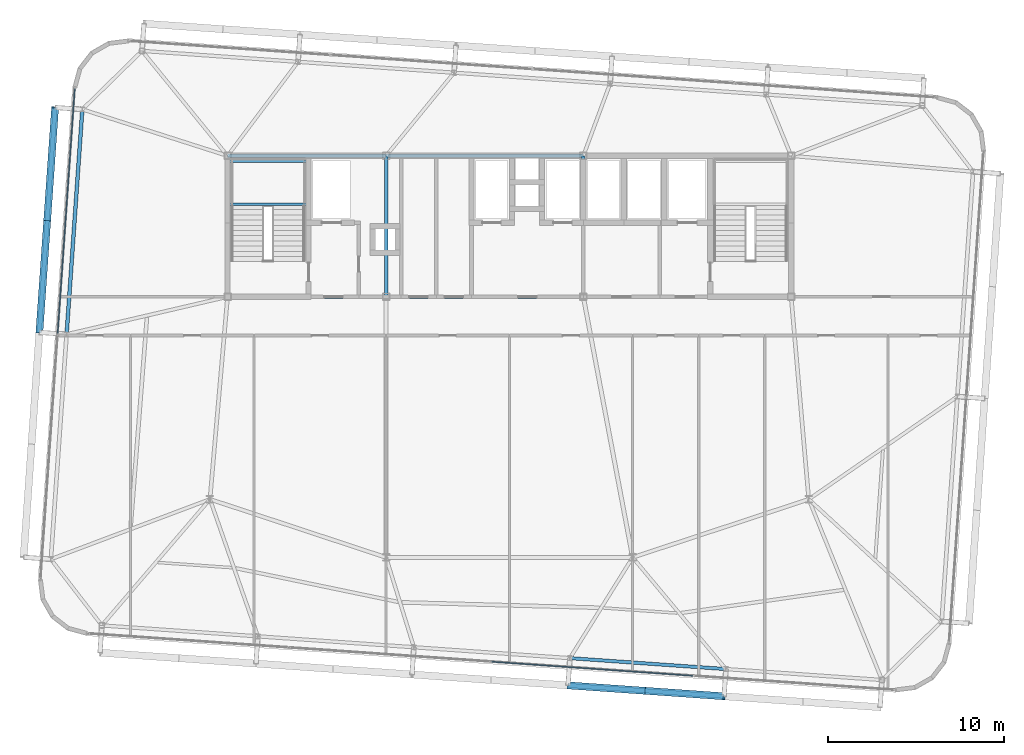
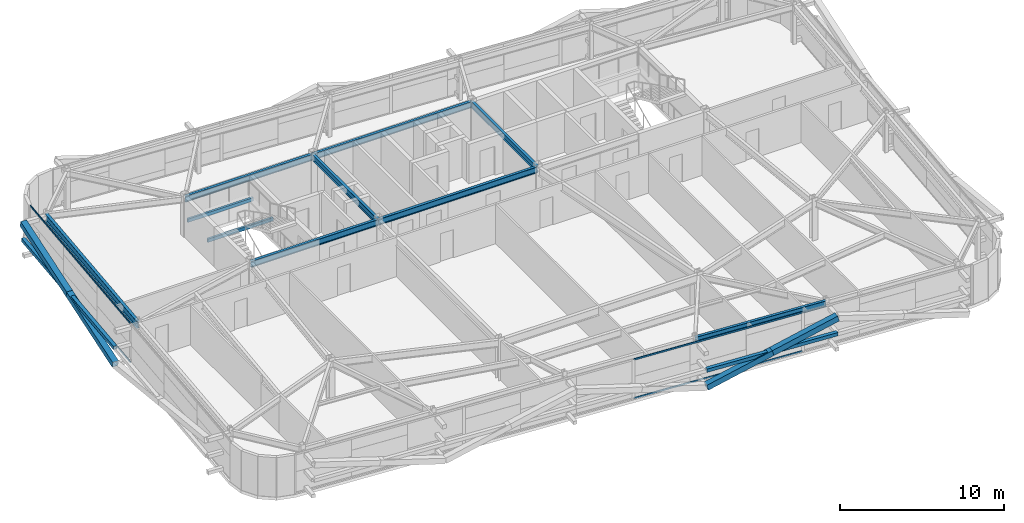
# One storey, part 12 of 39: 10 beams, 10 members, 2 elements without a shape of their own.
"""IFC4 building model written with IfcOpenShell, lengths in metres."""

from ifc_helpers import new_model, si_unit, direction, frame, origin, origin_2d, place, context, subcontext, project, spatial, hollow_rectangle, i_section, extrude, source, transform, mapped, material, layer, layer_set, material_profile, profile_set, type_object, element, aggregate, save


model = new_model("IFC4")

# Units and contexts
model_context = context("Model", 3, precision=1e-05, world=origin(), true_north=direction((0.0, 1.0)))
body_context = subcontext(model_context, "Body", "Model", "MODEL_VIEW")
ifc_project = project(units=[si_unit("LENGTHUNIT", "METRE"), si_unit("AREAUNIT", "SQUARE_METRE"), si_unit("VOLUMEUNIT", "CUBIC_METRE"), si_unit("PLANEANGLEUNIT", "RADIAN"), si_unit("MASSUNIT", "GRAM", prefix="KILO")], contexts=[model_context])

# Site, building, storey
site_placement = place(None, origin())
site = spatial("IfcSite", under=ifc_project, at=site_placement, CompositionType="ELEMENT")
building_placement = place(site_placement, origin())
building = spatial("IfcBuilding", under=site, at=building_placement, Name="Taldren Reach Tower", CompositionType="ELEMENT")
storey_placement = place(building_placement, frame((0.0, 0.0, 155.050048828125)))
storey = spatial("IfcBuildingStorey", under=building, at=storey_placement, Name="L47", CompositionType="ELEMENT", Elevation=155.050048828125)

# Beams
ifc_material_1 = material(Name="Steel Gr 350 (350PLUS)", Category="steel")
ifc_material_profile_1 = material_profile(ifc_material_1, i_section(OverallWidth=0.19091796875, OverallDepth=0.4599609375, WebThickness=0.010009765625, FlangeThickness=0.01611328125, at=origin_2d()), Name="460UB82.1")
ifc_profile_set_1 = profile_set([ifc_material_profile_1], Name="Steel Gr 350 (350PLUS)")
beam_type_1 = type_object("IfcBeamType", Name="BM-UB460A", PredefinedType="BEAM", material=ifc_profile_set_1)
shared_shape_1 = source(origin(), body_context, "Body", "SweptSolid", [
    extrude(i_section(OverallWidth=0.19091796875, OverallDepth=0.4599609375, WebThickness=0.010009765625, FlangeThickness=0.01611328125, at=origin_2d()), origin(), (0.0, 0.0, 1.0), 9.0),
])
for number, where, z_axis, x_axis, name in (
    (1, (19.0, 24.0, 2.699951171875), (1.0, 0.0, 0.0), (0.0, 1.0, 0.0), "Core-spine girder L47-SP01"),
    (2, (19.0, 32.0, 2.699951171875), (1.0, 0.0, 0.0), (0.0, 1.0, 0.0), "Core-spine girder L47-SP04"),
):
    element("IfcBeam", number, at=place(storey_placement, frame(where, z_axis=z_axis, x_axis=x_axis)), inside=storey, type_object=beam_type_1, Name=name, PredefinedType="BEAM", context=body_context, shape_type="MappedRepresentation", body=[
        mapped(shared_shape_1, transform((0.0, 0.0, 0.0), scale=1.0)),
    ])
shared_shape_2 = source(origin(), body_context, "Body", "SweptSolid", [
    extrude(i_section(OverallWidth=0.19091796875, OverallDepth=0.4599609375, WebThickness=0.010009765625, FlangeThickness=0.01611328125, at=origin_2d()), origin(), (0.0, 0.0, 1.0), 11.199951171875),
])
for number, where, z_axis, x_axis, name in (
    (3, (28.0, 24.0, 2.699951171875), (1.0, 0.0, 0.0), (0.0, 1.0, 0.0), "Core-spine girder L47-SP02"),
    (4, (28.0, 32.0, 2.699951171875), (1.0, 0.0, 0.0), (0.0, 1.0, 0.0), "Core-spine girder L47-SP05"),
):
    element("IfcBeam", number, at=place(storey_placement, frame(where, z_axis=z_axis, x_axis=x_axis)), inside=storey, type_object=beam_type_1, Name=name, PredefinedType="BEAM", context=body_context, shape_type="MappedRepresentation", body=[
        mapped(shared_shape_2, transform((0.0, 0.0, 0.0), scale=1.0)),
    ])
shared_shape_3 = source(origin(), body_context, "Body", "SweptSolid", [
    extrude(i_section(OverallWidth=0.19091796875, OverallDepth=0.4599609375, WebThickness=0.010009765625, FlangeThickness=0.01611328125, at=origin_2d()), origin(), (0.0, 0.0, 1.0), 8.0),
])
for number, where, z_axis, x_axis, name in (
    (5, (28.0, 24.0, 2.699951171875), (0.0, 1.0, 0.0), (-1.0, 0.0, 0.0), "Core-spine girder L47-SP07"),
    (6, (39.199951171875, 24.0, 2.699951171875), (0.0, 1.0, 0.0), (-1.0, 0.0, 0.0), "Core-spine girder L47-SP08"),
):
    element("IfcBeam", number, at=place(storey_placement, frame(where, z_axis=z_axis, x_axis=x_axis)), inside=storey, type_object=beam_type_1, Name=name, PredefinedType="BEAM", context=body_context, shape_type="MappedRepresentation", body=[
        mapped(shared_shape_3, transform((0.0, 0.0, 0.0), scale=1.0)),
    ])
ifc_material_profile_2 = material_profile(ifc_material_1, i_section(OverallWidth=0.18994140625, OverallDepth=0.4541015625, WebThickness=0.008544921875, FlangeThickness=0.0126953125, at=origin_2d()), Name="460UB67.1")
ifc_profile_set_2 = profile_set([ifc_material_profile_2], Name="Steel Gr 350 (350PLUS)")
beam_type_2 = type_object("IfcBeamType", Name="SP-UB460B", PredefinedType="SPANDREL", material=ifc_profile_set_2)
shared_shape_4 = source(origin(), body_context, "Body", "SweptSolid", [
    extrude(i_section(OverallWidth=0.18994140625, OverallDepth=0.4541015625, WebThickness=0.008544921875, FlangeThickness=0.0126953125, at=origin_2d()), origin(), (0.0, 0.0, 1.0), 8.880126953125),
])
beam_1_placement = place(storey_placement, frame((38.438720703125, 3.480224609375, 2.702880859375), z_axis=(0.997562566276, -0.06977769246, 0.0), x_axis=(0.06977769246, 0.997562566276, 0.0)))
element("IfcBeam", 7, at=beam_1_placement, inside=storey, type_object=beam_type_2, Name="Perimeter spandrel B3 S4-S5 L47", PredefinedType="SPANDREL", context=body_context, shape_type="MappedRepresentation", body=[
    mapped(shared_shape_4, transform((0.0, 0.0, 0.0), scale=1.0)),
])
ifc_material_profile_3 = material_profile(ifc_material_1, i_section(OverallWidth=0.208984375, OverallDepth=0.528076171875, WebThickness=0.009521484375, FlangeThickness=0.01318359375, at=origin_2d()), Name="530UB82.0")
ifc_profile_set_3 = profile_set([ifc_material_profile_3], Name="Steel Gr 350 (350PLUS)")
beam_type_3 = type_object("IfcBeamType", Name="SP-UB530B", PredefinedType="SPANDREL", material=ifc_profile_set_3)
shared_shape_5 = source(origin(), body_context, "Body", "SweptSolid", [
    extrude(i_section(OverallWidth=0.208984375, OverallDepth=0.528076171875, WebThickness=0.009521484375, FlangeThickness=0.01318359375, at=origin_2d()), origin(), (0.0, 0.0, 1.0), 12.800048828125),
])
beam_2_placement = place(storey_placement, frame((10.754638671875, 34.63720703125, 2.666015625), z_axis=(-0.069751876777, -0.9975643717, 0.0), x_axis=(0.9975643717, -0.069751876777, 0.0)))
element("IfcBeam", 8, at=beam_2_placement, inside=storey, type_object=beam_type_3, Name="Perimeter spandrel B3 W3-W2 L47", PredefinedType="SPANDREL", context=body_context, shape_type="MappedRepresentation", body=[
    mapped(shared_shape_5, transform((0.0, 0.0, 0.0), scale=1.0)),
])

# Members
ifc_material_2 = material(Name="Steel Gr 350 (C350L0)", Category="steel")
ifc_material_profile_4 = material_profile(ifc_material_2, hollow_rectangle(XDim=0.25, YDim=0.25, WallThickness=0.010009765625, at=origin_2d()), Name="250x250x10.0SHS")
ifc_profile_set_4 = profile_set([ifc_material_profile_4], Name="Steel Gr 350 (C350L0)")
member_type_1 = type_object("IfcMemberType", Name="MB-POST250", PredefinedType="POST", material=ifc_profile_set_4)
shared_shape_6 = source(origin(), body_context, "Body", "SweptSolid", [
    extrude(hollow_rectangle(XDim=0.25, YDim=0.25, WallThickness=0.010009765625, at=origin_2d()), origin(), (0.0, 0.0, 1.0), 8.880126953125),
])
member_1_placement = place(storey_placement, frame((38.33056640625, 1.933837890625, 1.43505859375), z_axis=(0.997564479639, -0.069750333063, 0.0), x_axis=(0.069750333063, 0.997564479639, 0.0)))
element("IfcMember", 9, at=member_1_placement, inside=storey, type_object=member_type_1, Name="Exoskeleton mid-height ring chord B3-S4 L47", PredefinedType="POST", context=body_context, shape_type="MappedRepresentation", body=[
    mapped(shared_shape_6, transform((0.0, 0.0, 0.0), scale=1.0)),
])
shared_shape_7 = source(origin(), body_context, "Body", "SweptSolid", [
    extrude(hollow_rectangle(XDim=0.25, YDim=0.25, WallThickness=0.010009765625, at=origin_2d()), origin(), (0.0, 0.0, 1.0), 12.800048828125),
])
member_2_placement = place(storey_placement, frame((8.3154296875, 21.9765625, 1.43505859375), z_axis=(0.069770857464, 0.997563044348, 0.0), x_axis=(-0.997563044348, 0.069770857464, 0.0)))
element("IfcMember", 10, at=member_2_placement, inside=storey, type_object=member_type_1, Name="Exoskeleton mid-height ring chord B3-W2 L47", PredefinedType="POST", context=body_context, shape_type="MappedRepresentation", body=[
    mapped(shared_shape_7, transform((0.0, 0.0, 0.0), scale=1.0)),
])
ifc_material_3 = material(Name="Steel Gr 450 (C450L0)", Category="steel")
ifc_material_profile_5 = material_profile(ifc_material_3, hollow_rectangle(XDim=0.409912109375, YDim=0.409912109375, WallThickness=0.01611328125, at=origin_2d()), Name="410x410x16.0SHS")
ifc_profile_set_5 = profile_set([ifc_material_profile_5], Name="Steel Gr 450 (C450L0)")
member_type_2 = type_object("IfcMemberType", Name="MB-EXO406", PredefinedType="BRACE", material=ifc_profile_set_5)
shared_shape_8 = source(origin(), body_context, "Body", "SweptSolid", [
    extrude(hollow_rectangle(XDim=0.409912109375, YDim=0.409912109375, WallThickness=0.01611328125, at=origin_2d()), origin(), (0.0, 0.0, 1.0), 4.603271484375),
])
for number, where, z_axis, x_axis, name in (
    (11, (38.33056640625, 1.933837890625, 0.219970703125), (0.962185784239, -0.067250114343, 0.263962002434), (0.069722973508, 0.997566392259, 0.0), "Exoskeleton Diagrid Brace B3-S4 L47"),
    (12, (42.759765625, 1.624267578125, 1.43505859375), (0.962195820062, -0.067303852699, 0.263911718699), (0.06977769246, 0.997562566276, 0.0), "Exoskeleton Diagrid Brace B3-S4 L47"),
):
    element("IfcMember", number, at=place(storey_placement, frame(where, z_axis=z_axis, x_axis=x_axis)), inside=storey, type_object=member_type_2, Name=name, PredefinedType="BRACE", context=body_context, shape_type="MappedRepresentation", body=[
        mapped(shared_shape_8, transform((0.0, 0.0, 0.0), scale=1.0)),
    ])
shared_shape_9 = source(origin(), body_context, "Body", "SweptSolid", [
    extrude(hollow_rectangle(XDim=0.409912109375, YDim=0.409912109375, WallThickness=0.01611328125, at=origin_2d()), origin(), (0.0, 0.0, 1.0), 6.514404296875),
])
member_3_placement = place(storey_placement, frame((8.761962890625, 28.36083984375, 1.43505859375), z_axis=(0.068545605936, 0.980063499638, 0.186486022492), x_axis=(-0.997563137195, 0.069769529958, 0.0)))
element("IfcMember", 13, at=member_3_placement, inside=storey, type_object=member_type_2, Name="Exoskeleton Diagrid Brace B3-W2 L47", PredefinedType="BRACE", context=body_context, shape_type="MappedRepresentation", body=[
    mapped(shared_shape_9, transform((0.0, 0.0, 0.0), scale=1.0)),
])
shared_shape_10 = source(origin(), body_context, "Body", "SweptSolid", [
    extrude(hollow_rectangle(XDim=0.409912109375, YDim=0.409912109375, WallThickness=0.01611328125, at=origin_2d()), origin(), (0.0, 0.0, 1.0), 6.51416015625),
])
member_4_placement = place(storey_placement, frame((8.3154296875, 21.9765625, 0.219970703125), z_axis=(0.068547644544, 0.980055169399, 0.186529046964), x_axis=(-0.997562951496, 0.069772185021, 0.0)))
element("IfcMember", 14, at=member_4_placement, inside=storey, type_object=member_type_2, Name="Exoskeleton Diagrid Brace B3-W2 L47", PredefinedType="BRACE", context=body_context, shape_type="MappedRepresentation", body=[
    mapped(shared_shape_10, transform((0.0, 0.0, 0.0), scale=1.0)),
])

# Curtain wall, members
ifc_material_4 = material(Name="Aluminium and Low-E Glass Unitised System", Category="aluminium")
ifc_layer = layer(ifc_material_4, 0.159912109375)
ifc_layer_set = layer_set([ifc_layer], Name="Aluminium and Low-E Glass Unitised System")
curtain_wall_type = type_object("IfcCurtainWallType", Name="CW-SYS-4", PredefinedType="NOTDEFINED", material=ifc_layer_set)
curtain_wall_1_placement = place(storey_placement, origin())
curtain_wall_1 = element("IfcCurtainWall", 15, at=curtain_wall_1_placement, inside=storey, type_object=curtain_wall_type, Name="Unitised curtain wall CW-L47-S", PredefinedType="NOTDEFINED")
ifc_material_5 = material(Name="Anodised Aluminium 6063-T6", Category="aluminium")
ifc_material_profile_6 = material_profile(ifc_material_5, hollow_rectangle(XDim=0.054931640625, YDim=0.1201171875, WallThickness=0.0029296875, at=origin_2d()), Name="ALU-120x55x3RHS")
ifc_profile_set_6 = profile_set([ifc_material_profile_6], Name="Anodised Aluminium 6063-T6")
member_type_3 = type_object("IfcMemberType", Name="CW-TRN-135", PredefinedType="USERDEFINED", material=ifc_profile_set_6)
shared_shape_11 = source(origin(), body_context, "Body", "SweptSolid", [
    extrude(hollow_rectangle(XDim=0.054931640625, YDim=0.1201171875, WallThickness=0.0029296875, at=origin_2d()), origin(), (0.0, 0.0, 1.0), 11.429931640625),
])
member_5_placement = place(storey_placement, frame((34.0087890625, 3.278564453125, 0.02734375), z_axis=(0.997563740938, -0.069760897114, 0.0), x_axis=(0.069760897114, 0.997563740938, 0.0)))
member_5 = element("IfcMember", 16, at=member_5_placement, type_object=member_type_3, Name="CW-4 transom 3.1", ObjectType="TRANSOM", PredefinedType="USERDEFINED", context=body_context, shape_type="MappedRepresentation", body=[
    mapped(shared_shape_11, transform((0.0, 0.0, 0.0), scale=1.0)),
])
member_6_placement = place(storey_placement, frame((34.0087890625, 3.278564453125, 2.90234375), z_axis=(0.997563740938, -0.069760897114, 0.0), x_axis=(0.069760897114, 0.997563740938, 0.0)))
member_6 = element("IfcMember", 17, at=member_6_placement, type_object=member_type_3, Name="CW-4 transom 3.2", ObjectType="TRANSOM", PredefinedType="USERDEFINED", context=body_context, shape_type="MappedRepresentation", body=[
    mapped(shared_shape_11, transform((0.0, 0.0, 0.0), scale=1.0)),
])
aggregate(curtain_wall_1, [member_5, member_6])

curtain_wall_2_placement = place(storey_placement, origin())
curtain_wall_2 = element("IfcCurtainWall", 18, at=curtain_wall_2_placement, inside=storey, type_object=curtain_wall_type, Name="Unitised curtain wall CW-L47-W", PredefinedType="NOTDEFINED")
shared_shape_12 = source(origin(), body_context, "Body", "SweptSolid", [
    extrude(hollow_rectangle(XDim=0.054931640625, YDim=0.1201171875, WallThickness=0.0029296875, at=origin_2d()), origin(), (0.0, 0.0, 1.0), 13.895263671875),
])
member_7_placement = place(storey_placement, frame((10.32470703125, 35.800048828125, 0.02734375), z_axis=(-0.069753594456, -0.997564251595, 0.0), x_axis=(0.997564251595, -0.069753594456, 0.0)))
member_7 = element("IfcMember", 19, at=member_7_placement, type_object=member_type_3, Name="CW-4 transom 1.1", ObjectType="TRANSOM", PredefinedType="USERDEFINED", context=body_context, shape_type="MappedRepresentation", body=[
    mapped(shared_shape_12, transform((0.0, 0.0, 0.0), scale=1.0)),
])
member_8_placement = place(storey_placement, frame((10.32470703125, 35.800048828125, 2.90234375), z_axis=(-0.069753594456, -0.997564251595, 0.0), x_axis=(0.997564251595, -0.069753594456, 0.0)))
member_8 = element("IfcMember", 20, at=member_8_placement, type_object=member_type_3, Name="CW-4 transom 1.2", ObjectType="TRANSOM", PredefinedType="USERDEFINED", context=body_context, shape_type="MappedRepresentation", body=[
    mapped(shared_shape_12, transform((0.0, 0.0, 0.0), scale=1.0)),
])
aggregate(curtain_wall_2, [member_7, member_8])

# Beams
ifc_material_profile_7 = material_profile(ifc_material_2, hollow_rectangle(XDim=0.14990234375, YDim=0.25, WallThickness=0.009033203125, at=origin_2d()), Name="250x150x9.0RHS")
ifc_profile_set_7 = profile_set([ifc_material_profile_7], Name="Steel Gr 350 (C350L0)")
beam_type_4 = type_object("IfcBeamType", Name="LN-RHS250", PredefinedType="LINTEL", material=ifc_profile_set_7)
shared_shape_13 = source(origin(), body_context, "Body", "SweptSolid", [
    extrude(hollow_rectangle(XDim=0.14990234375, YDim=0.25, WallThickness=0.009033203125, at=origin_2d()), origin(), (0.0, 0.0, 1.0), 4.60009765625),
])
for number, where, z_axis, x_axis, name in (
    (21, (19.0, 29.2548828125, 1.27001953125), (1.0, 0.0, 0.0), (0.0, 1.0, 0.0), "Stair half-landing support beam ST1-L47-1"),
    (22, (19.0, 31.699951171875, 1.27001953125), (1.0, 0.0, 0.0), (0.0, 1.0, 0.0), "Stair half-landing support beam ST1-L47-2"),
):
    element("IfcBeam", number, at=place(storey_placement, frame(where, z_axis=z_axis, x_axis=x_axis)), inside=storey, type_object=beam_type_4, Name=name, PredefinedType="LINTEL", context=body_context, shape_type="MappedRepresentation", body=[
        mapped(shared_shape_13, transform((0.0, 0.0, 0.0), scale=1.0)),
    ])

save(model, "model.ifc")
